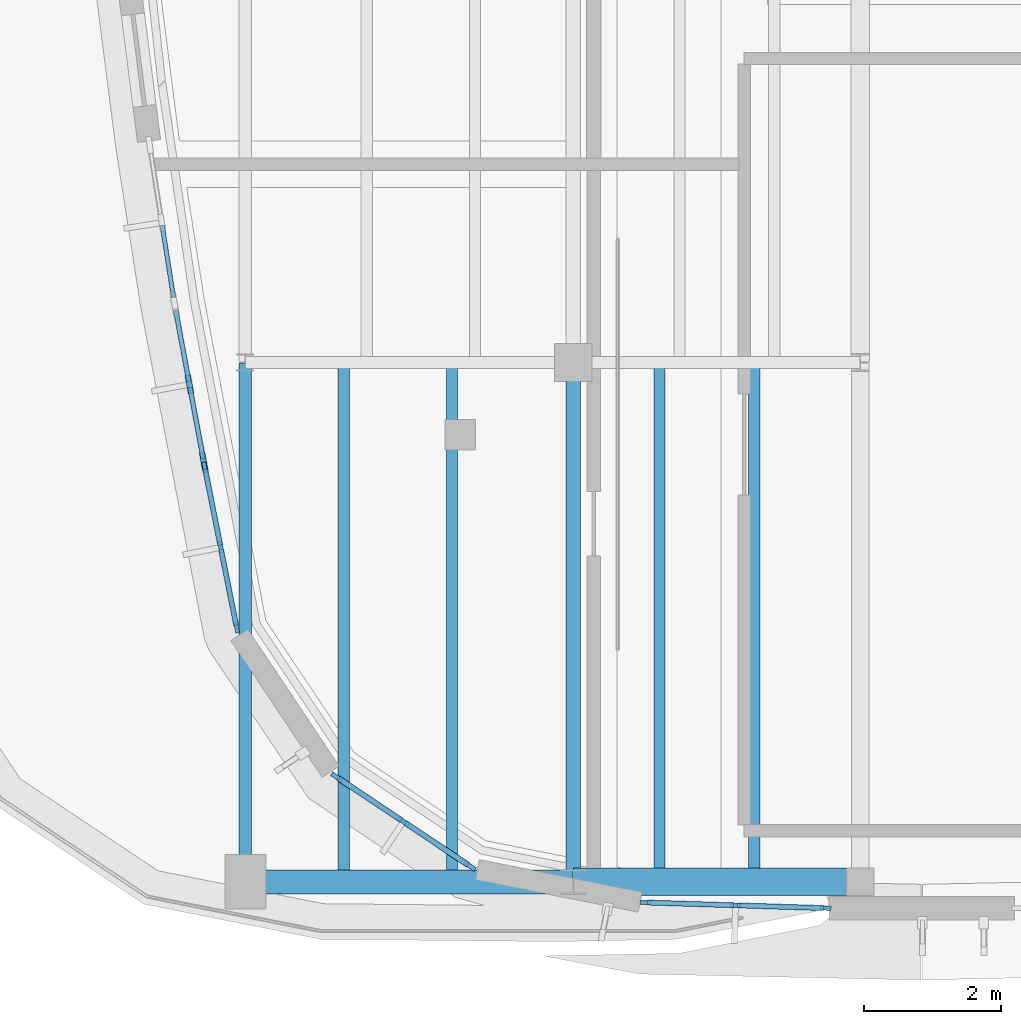
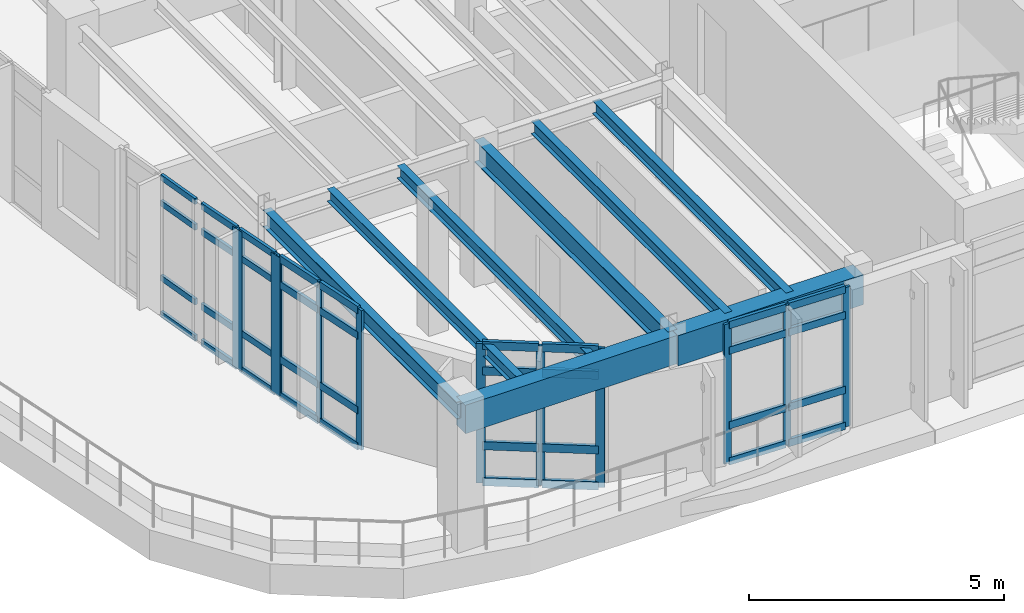
# One storey, part 4 of 20: 47 members, 8 beams, 5 elements without a shape of their own.
"""IFC4 building model written with IfcOpenShell, lengths in metres."""

from ifc_helpers import new_model, si_unit, direction, frame, origin, origin_2d, place, context, subcontext, project, spatial, rectangle, i_section, extrude, material, material_profile, profile_set, type_object, element, aggregate, save


model = new_model("IFC4")

# Units and contexts
model_context = context("Model", 3, precision=1e-05, world=origin(), true_north=direction((0.0, 1.0)))
body_context = subcontext(model_context, "Body", "Model", "MODEL_VIEW")
ifc_project = project(units=[si_unit("LENGTHUNIT", "METRE"), si_unit("AREAUNIT", "SQUARE_METRE"), si_unit("VOLUMEUNIT", "CUBIC_METRE"), si_unit("PLANEANGLEUNIT", "RADIAN"), si_unit("MASSUNIT", "GRAM", prefix="KILO")], contexts=[model_context])

# Site, building, storey
site_placement = place(None, origin())
site = spatial("IfcSite", under=ifc_project, at=site_placement, CompositionType="ELEMENT")
building_placement = place(site_placement, origin())
building = spatial("IfcBuilding", under=site, at=building_placement, Name="Corveleigh Park Community Centre", CompositionType="ELEMENT")
storey_placement = place(building_placement, frame((0.0, 0.0, 16.199951171875)))
storey = spatial("IfcBuildingStorey", under=building, at=storey_placement, Name="L04", CompositionType="ELEMENT", Elevation=16.199951171875)

# Beams
ifc_material_1 = material(Name="Steel S355", Category="steel")
ifc_material_profile_1 = material_profile(ifc_material_1, i_section(OverallWidth=0.1650390625, OverallDepth=0.303466796875, WebThickness=0.006103515625, FlangeThickness=0.01025390625, at=origin_2d()), Name="UKB 305x165x40", Category="steel")
ifc_profile_set_1 = profile_set([ifc_material_profile_1], Name="Steel S355")
beam_type_1 = type_object("IfcBeamType", Name="BM-STL-UKB305x40", PredefinedType="JOIST", material=ifc_profile_set_1)
for number, where, z_axis, x_axis, name in (
    (1, (150.43994140625, 58.60498046875, 3.185302734375), (0.0, 1.0, 0.0), (-1.0, 0.0, 0.0), "Secondary floor joist"),
    (2, (152.02392578125, 58.60498046875, 3.185302734375), (0.0, 1.0, 0.0), (-1.0, 0.0, 0.0), "Secondary floor joist"),
):
    element("IfcBeam", number, at=place(storey_placement, frame(where, z_axis=z_axis, x_axis=x_axis)), inside=storey, type_object=beam_type_1, Name=name, PredefinedType="JOIST", context=body_context, shape_type="SweptSolid", body=[
        extrude(i_section(OverallWidth=0.1650390625, OverallDepth=0.303466796875, WebThickness=0.006103515625, FlangeThickness=0.01025390625, at=origin_2d()), origin(), (0.0, 0.0, 1.0), 7.590087890625),
    ])
ifc_material_profile_2 = material_profile(ifc_material_1, i_section(OverallWidth=0.165771484375, OverallDepth=0.306640625, WebThickness=0.006591796875, FlangeThickness=0.01171875, at=origin_2d()), Name="UKB 305x165x46", Category="steel")
ifc_profile_set_2 = profile_set([ifc_material_profile_2], Name="Steel S355")
beam_type_2 = type_object("IfcBeamType", Name="BM-STL-UKB305x46", PredefinedType="JOIST", material=ifc_profile_set_2)
for number, where, z_axis, x_axis, name in (
    (3, (155.06005859375, 58.60498046875, 3.183837890625), (0.0, 1.0, 0.0), (-1.0, 0.0, 0.0), "Secondary floor joist"),
    (4, (156.446044921875, 58.60498046875, 3.183837890625), (0.0, 1.0, 0.0), (-1.0, 0.0, 0.0), "Secondary floor joist"),
):
    element("IfcBeam", number, at=place(storey_placement, frame(where, z_axis=z_axis, x_axis=x_axis)), inside=storey, type_object=beam_type_2, Name=name, PredefinedType="JOIST", context=body_context, shape_type="SweptSolid", body=[
        extrude(i_section(OverallWidth=0.165771484375, OverallDepth=0.306640625, WebThickness=0.006591796875, FlangeThickness=0.01171875, at=origin_2d()), origin(), (0.0, 0.0, 1.0), 7.590087890625),
    ])
ifc_material_profile_3 = material_profile(ifc_material_1, i_section(OverallWidth=0.1787109375, OverallDepth=0.409423828125, WebThickness=0.0087890625, FlangeThickness=0.014404296875, at=origin_2d()), Name="UKB 406x178x67", Category="steel")
ifc_profile_set_3 = profile_set([ifc_material_profile_3], Name="Steel S355")
beam_type_3 = type_object("IfcBeamType", Name="BM-STL-UKB406x67", PredefinedType="BEAM", material=ifc_profile_set_3)
beam_1_placement = place(storey_placement, frame((149.0, 58.60498046875, 3.13232421875), z_axis=(0.0, 1.0, 0.0), x_axis=(-1.0, 0.0, 0.0)))
element("IfcBeam", 5, at=beam_1_placement, inside=storey, type_object=beam_type_3, Name="V4 Girder Y", PredefinedType="BEAM", context=body_context, shape_type="SweptSolid", body=[
    extrude(i_section(OverallWidth=0.1787109375, OverallDepth=0.409423828125, WebThickness=0.0087890625, FlangeThickness=0.014404296875, at=origin_2d()), origin(), (0.0, 0.0, 1.0), 7.590087890625),
])
ifc_material_profile_4 = material_profile(ifc_material_1, i_section(OverallWidth=0.209228515625, OverallDepth=0.533203125, WebThickness=0.010009765625, FlangeThickness=0.015625, at=origin_2d()), Name="UKB 533x210x92", Category="steel")
ifc_profile_set_4 = profile_set([ifc_material_profile_4], Name="Steel S355")
beam_type_4 = type_object("IfcBeamType", Name="BM-STL-UKB533x92", PredefinedType="BEAM", material=ifc_profile_set_4)
beam_2_placement = place(storey_placement, frame((153.800048828125, 58.60498046875, 3.070556640625), z_axis=(0.0, 1.0, 0.0), x_axis=(-1.0, 0.0, 0.0)))
element("IfcBeam", 6, at=beam_2_placement, inside=storey, type_object=beam_type_4, Name="V4 Girder Y", PredefinedType="BEAM", context=body_context, shape_type="SweptSolid", body=[
    extrude(i_section(OverallWidth=0.209228515625, OverallDepth=0.533203125, WebThickness=0.010009765625, FlangeThickness=0.015625, at=origin_2d()), origin(), (0.0, 0.0, 1.0), 7.590087890625),
])

# Curtain wall, members
ifc_material_2 = material(Name="Anodised aluminium 6063-T6", Category="aluminium")
curtain_wall_type = type_object("IfcCurtainWallType", Name="CW-SYS-V4-L03", PredefinedType="NOTDEFINED", material=ifc_material_2)
curtain_wall_1_placement = place(storey_placement, origin())
curtain_wall_1 = element("IfcCurtainWall", 7, at=curtain_wall_1_placement, inside=storey, type_object=curtain_wall_type, Name="V4 L04 Curtain Wall 439", PredefinedType="NOTDEFINED")
ifc_material_profile_5 = material_profile(ifc_material_2, rectangle(XDim=0.06005859375, YDim=0.159912109375, at=origin_2d()), Name="ALU-M60x160", Category="aluminium")
ifc_profile_set_5 = profile_set([ifc_material_profile_5], Name="Anodised aluminium 6063-T6")
member_type_1 = type_object("IfcMemberType", Name="CWM-60x160", PredefinedType="MULLION", material=ifc_profile_set_5)
member_1_placement = place(storey_placement, frame((157.493896484375, 58.21484375, 0.0), z_axis=(0.0, 0.0, 1.0), x_axis=(-0.031454254481, -0.99950519252, 0.0)))
member_1 = element("IfcMember", 8, at=member_1_placement, type_object=member_type_1, Name="CW09 mullion 1", PredefinedType="MULLION", context=body_context, shape_type="SweptSolid", body=[
    extrude(rectangle(XDim=0.06005859375, YDim=0.159912109375, at=origin_2d()), origin(), (0.0, 0.0, 1.0), 3.337158203125),
])
member_2_placement = place(storey_placement, frame((156.173583984375, 58.256591796875, 0.0), z_axis=(0.0, 0.0, 1.0), x_axis=(-0.031454254481, -0.99950519252, 0.0)))
member_2 = element("IfcMember", 9, at=member_2_placement, type_object=member_type_1, Name="CW09 mullion 2", PredefinedType="MULLION", context=body_context, shape_type="SweptSolid", body=[
    extrude(rectangle(XDim=0.06005859375, YDim=0.159912109375, at=origin_2d()), origin(), (0.0, 0.0, 1.0), 3.337158203125),
])
member_3_placement = place(storey_placement, frame((154.85302734375, 58.298095703125, 0.0), z_axis=(0.0, 0.0, 1.0), x_axis=(-0.031454254481, -0.99950519252, 0.0)))
member_3 = element("IfcMember", 10, at=member_3_placement, type_object=member_type_1, Name="CW09 mullion 3", PredefinedType="MULLION", context=body_context, shape_type="SweptSolid", body=[
    extrude(rectangle(XDim=0.06005859375, YDim=0.159912109375, at=origin_2d()), origin(), (0.0, 0.0, 1.0), 3.337158203125),
])

curtain_wall_2_placement = place(storey_placement, origin())
curtain_wall_2 = element("IfcCurtainWall", 11, at=curtain_wall_2_placement, inside=storey, type_object=curtain_wall_type, Name="V4 L04 Curtain Wall 469", PredefinedType="NOTDEFINED")
member_4_placement = place(storey_placement, frame((148.8720703125, 62.324462890625, 0.0), z_axis=(0.0, 0.0, 1.0), x_axis=(-0.980784643134, -0.195093525756, 0.0)))
member_4 = element("IfcMember", 12, at=member_4_placement, type_object=member_type_1, Name="CW09 mullion 1", PredefinedType="MULLION", context=body_context, shape_type="SweptSolid", body=[
    extrude(rectangle(XDim=0.06005859375, YDim=0.159912109375, at=origin_2d()), origin(), (0.0, 0.0, 1.0), 3.337158203125),
])
member_5_placement = place(storey_placement, frame((148.639404296875, 63.493896484375, 0.0), z_axis=(0.0, 0.0, 1.0), x_axis=(-0.980784643134, -0.195093525756, 0.0)))
member_5 = element("IfcMember", 13, at=member_5_placement, type_object=member_type_1, Name="CW09 mullion 2", PredefinedType="MULLION", context=body_context, shape_type="SweptSolid", body=[
    extrude(rectangle(XDim=0.06005859375, YDim=0.159912109375, at=origin_2d()), origin(), (0.0, 0.0, 1.0), 3.337158203125),
])
member_6_placement = place(storey_placement, frame((148.40673828125, 64.66357421875, 0.0), z_axis=(0.0, 0.0, 1.0), x_axis=(-0.980784643134, -0.195093525756, 0.0)))
member_6 = element("IfcMember", 14, at=member_6_placement, type_object=member_type_1, Name="CW09 mullion 3", PredefinedType="MULLION", context=body_context, shape_type="SweptSolid", body=[
    extrude(rectangle(XDim=0.06005859375, YDim=0.159912109375, at=origin_2d()), origin(), (0.0, 0.0, 1.0), 3.337158203125),
])

curtain_wall_3_placement = place(storey_placement, origin())
curtain_wall_3 = element("IfcCurtainWall", 15, at=curtain_wall_3_placement, inside=storey, type_object=curtain_wall_type, Name="V4 L04 Curtain Wall 470", PredefinedType="NOTDEFINED")
ifc_material_profile_6 = material_profile(ifc_material_2, rectangle(XDim=0.06494140625, YDim=0.179931640625, at=origin_2d()), Name="ALU-M65x180", Category="aluminium")
ifc_profile_set_6 = profile_set([ifc_material_profile_6], Name="Anodised aluminium 6063-T6")
member_type_2 = type_object("IfcMemberType", Name="CWM-65x180", PredefinedType="MULLION", material=ifc_profile_set_6)
member_7_placement = place(storey_placement, frame((152.286865234375, 58.830078125, 0.0), z_axis=(0.0, 0.0, 1.0), x_axis=(-0.555658190101, -0.83141083453, 0.0)))
member_7 = element("IfcMember", 16, at=member_7_placement, type_object=member_type_2, Name="CW09 mullion 1", PredefinedType="MULLION", context=body_context, shape_type="SweptSolid", body=[
    extrude(rectangle(XDim=0.06494140625, YDim=0.179931640625, at=origin_2d()), origin(), (0.0, 0.0, 1.0), 3.337158203125),
])
member_8_placement = place(storey_placement, frame((151.31298828125, 59.48095703125, 0.0), z_axis=(0.0, 0.0, 1.0), x_axis=(-0.555658190101, -0.83141083453, 0.0)))
member_8 = element("IfcMember", 17, at=member_8_placement, type_object=member_type_2, Name="CW09 mullion 2", PredefinedType="MULLION", context=body_context, shape_type="SweptSolid", body=[
    extrude(rectangle(XDim=0.06494140625, YDim=0.179931640625, at=origin_2d()), origin(), (0.0, 0.0, 1.0), 3.337158203125),
])
member_9_placement = place(storey_placement, frame((150.339111328125, 60.1318359375, 0.0), z_axis=(0.0, 0.0, 1.0), x_axis=(-0.555658190101, -0.83141083453, 0.0)))
member_9 = element("IfcMember", 18, at=member_9_placement, type_object=member_type_2, Name="CW09 mullion 3", PredefinedType="MULLION", context=body_context, shape_type="SweptSolid", body=[
    extrude(rectangle(XDim=0.06494140625, YDim=0.179931640625, at=origin_2d()), origin(), (0.0, 0.0, 1.0), 3.337158203125),
])

curtain_wall_4_placement = place(storey_placement, origin())
curtain_wall_4 = element("IfcCurtainWall", 19, at=curtain_wall_4_placement, inside=storey, type_object=curtain_wall_type, Name="V4 L04 Curtain Wall 468", PredefinedType="NOTDEFINED")
ifc_material_profile_7 = material_profile(ifc_material_2, rectangle(XDim=0.0849609375, YDim=0.27490234375, at=origin_2d()), Name="ALU-M85x275", Category="aluminium")
ifc_profile_set_7 = profile_set([ifc_material_profile_7], Name="Anodised aluminium 6063-T6")
member_type_3 = type_object("IfcMemberType", Name="CWM-85x275", PredefinedType="MULLION", material=ifc_profile_set_7)
member_10_placement = place(storey_placement, frame((148.391357421875, 64.748779296875, 0.0), z_axis=(0.0, 0.0, 1.0), x_axis=(-0.983301463744, -0.181984151504, 0.0)))
member_10 = element("IfcMember", 20, at=member_10_placement, type_object=member_type_3, Name="CW09 mullion 1", PredefinedType="MULLION", context=body_context, shape_type="SweptSolid", body=[
    extrude(rectangle(XDim=0.0849609375, YDim=0.27490234375, at=origin_2d()), origin(), (0.0, 0.0, 1.0), 3.337158203125),
])
member_11_placement = place(storey_placement, frame((148.181884765625, 65.87939453125, 0.0), z_axis=(0.0, 0.0, 1.0), x_axis=(-0.983301463744, -0.181984151504, 0.0)))
member_11 = element("IfcMember", 21, at=member_11_placement, type_object=member_type_3, Name="CW09 mullion 2", PredefinedType="MULLION", context=body_context, shape_type="SweptSolid", body=[
    extrude(rectangle(XDim=0.0849609375, YDim=0.27490234375, at=origin_2d()), origin(), (0.0, 0.0, 1.0), 3.337158203125),
])

curtain_wall_5_placement = place(storey_placement, origin())
curtain_wall_5 = element("IfcCurtainWall", 22, at=curtain_wall_5_placement, inside=storey, type_object=curtain_wall_type, Name="V4 L04 Curtain Wall 467", PredefinedType="NOTDEFINED")
ifc_material_profile_8 = material_profile(ifc_material_2, rectangle(XDim=0.06494140625, YDim=0.139892578125, at=origin_2d()), Name="ALU-T65x140", Category="aluminium")
ifc_profile_set_8 = profile_set([ifc_material_profile_8], Name="Anodised aluminium 6063-T6")
member_type_4 = type_object("IfcMemberType", Name="CWT-65x140", PredefinedType="USERDEFINED", material=ifc_profile_set_8)
member_12_placement = place(storey_placement, frame((147.94970703125, 67.14892578125, 0.032470703125), z_axis=(-0.154932887048, 0.987924997412, 0.0), x_axis=(-0.987924997412, -0.154932887048, 0.0)))
member_12 = element("IfcMember", 23, at=member_12_placement, type_object=member_type_4, Name="CW09 transom 1.1", ObjectType="TRANSOM", PredefinedType="USERDEFINED", context=body_context, shape_type="SweptSolid", body=[
    extrude(rectangle(XDim=0.06494140625, YDim=0.139892578125, at=origin_2d()), origin(), (0.0, 0.0, 1.0), 1.071533203125),
])
member_13_placement = place(storey_placement, frame((147.94970703125, 67.14892578125, 0.900146484375), z_axis=(-0.154932887048, 0.987924997412, 0.0), x_axis=(-0.987924997412, -0.154932887048, 0.0)))
member_13 = element("IfcMember", 24, at=member_13_placement, type_object=member_type_4, Name="CW09 transom 1.2", ObjectType="TRANSOM", PredefinedType="USERDEFINED", context=body_context, shape_type="SweptSolid", body=[
    extrude(rectangle(XDim=0.06494140625, YDim=0.139892578125, at=origin_2d()), origin(), (0.0, 0.0, 1.0), 1.071533203125),
])
member_14_placement = place(storey_placement, frame((147.94970703125, 67.14892578125, 2.68701171875), z_axis=(-0.154932887048, 0.987924997412, 0.0), x_axis=(-0.987924997412, -0.154932887048, 0.0)))
member_14 = element("IfcMember", 25, at=member_14_placement, type_object=member_type_4, Name="CW09 transom 1.3", ObjectType="TRANSOM", PredefinedType="USERDEFINED", context=body_context, shape_type="SweptSolid", body=[
    extrude(rectangle(XDim=0.06494140625, YDim=0.139892578125, at=origin_2d()), origin(), (0.0, 0.0, 1.0), 1.071533203125),
])
member_15_placement = place(storey_placement, frame((147.94970703125, 67.14892578125, 3.304443359375), z_axis=(-0.154932887048, 0.987924997412, 0.0), x_axis=(-0.987924997412, -0.154932887048, 0.0)))
member_15 = element("IfcMember", 26, at=member_15_placement, type_object=member_type_4, Name="CW09 transom 1.4", ObjectType="TRANSOM", PredefinedType="USERDEFINED", context=body_context, shape_type="SweptSolid", body=[
    extrude(rectangle(XDim=0.06494140625, YDim=0.139892578125, at=origin_2d()), origin(), (0.0, 0.0, 1.0), 1.071533203125),
])
aggregate(curtain_wall_5, [member_12, member_13, member_14, member_15])

# Member
ifc_material_profile_9 = material_profile(ifc_material_2, rectangle(XDim=0.070068359375, YDim=0.155029296875, at=origin_2d()), Name="ALU-T70x155", Category="aluminium")
ifc_profile_set_9 = profile_set([ifc_material_profile_9], Name="Anodised aluminium 6063-T6")
member_type_5 = type_object("IfcMemberType", Name="CWT-70x155", PredefinedType="USERDEFINED", material=ifc_profile_set_9)
member_16_placement = place(storey_placement, frame((148.383544921875, 64.79052734375, 0.03515625), z_axis=(-0.182031793046, 0.98329264531, 0.0), x_axis=(-0.98329264531, -0.182031793046, 0.0)))
member_16 = element("IfcMember", 27, at=member_16_placement, type_object=member_type_5, Name="CW09 transom 1.1", ObjectType="TRANSOM", PredefinedType="USERDEFINED", context=body_context, shape_type="SweptSolid", body=[
    extrude(rectangle(XDim=0.070068359375, YDim=0.155029296875, at=origin_2d()), origin(), (0.0, 0.0, 1.0), 1.06494140625),
])

member_17_placement = place(storey_placement, frame((148.383544921875, 64.79052734375, 0.900146484375), z_axis=(-0.182031793046, 0.98329264531, 0.0), x_axis=(-0.98329264531, -0.182031793046, 0.0)))
member_17 = element("IfcMember", 28, at=member_17_placement, type_object=member_type_5, Name="CW09 transom 1.2", ObjectType="TRANSOM", PredefinedType="USERDEFINED", context=body_context, shape_type="SweptSolid", body=[
    extrude(rectangle(XDim=0.070068359375, YDim=0.155029296875, at=origin_2d()), origin(), (0.0, 0.0, 1.0), 1.06494140625),
])

member_18_placement = place(storey_placement, frame((148.383544921875, 64.79052734375, 2.68701171875), z_axis=(-0.182031793046, 0.98329264531, 0.0), x_axis=(-0.98329264531, -0.182031793046, 0.0)))
member_18 = element("IfcMember", 29, at=member_18_placement, type_object=member_type_5, Name="CW09 transom 1.3", ObjectType="TRANSOM", PredefinedType="USERDEFINED", context=body_context, shape_type="SweptSolid", body=[
    extrude(rectangle(XDim=0.070068359375, YDim=0.155029296875, at=origin_2d()), origin(), (0.0, 0.0, 1.0), 1.06494140625),
])

member_19_placement = place(storey_placement, frame((148.383544921875, 64.79052734375, 3.302001953125), z_axis=(-0.182031793046, 0.98329264531, 0.0), x_axis=(-0.98329264531, -0.182031793046, 0.0)))
member_19 = element("IfcMember", 30, at=member_19_placement, type_object=member_type_5, Name="CW09 transom 1.4", ObjectType="TRANSOM", PredefinedType="USERDEFINED", context=body_context, shape_type="SweptSolid", body=[
    extrude(rectangle(XDim=0.070068359375, YDim=0.155029296875, at=origin_2d()), origin(), (0.0, 0.0, 1.0), 1.06494140625),
])

member_20_placement = place(storey_placement, frame((148.17431640625, 65.92138671875, 0.03515625), z_axis=(-0.182031793046, 0.98329264531, 0.0), x_axis=(-0.98329264531, -0.182031793046, 0.0)))
member_20 = element("IfcMember", 31, at=member_20_placement, type_object=member_type_5, Name="CW09 transom 2.1", ObjectType="TRANSOM", PredefinedType="USERDEFINED", context=body_context, shape_type="SweptSolid", body=[
    extrude(rectangle(XDim=0.070068359375, YDim=0.155029296875, at=origin_2d()), origin(), (0.0, 0.0, 1.0), 1.06494140625),
])

member_21_placement = place(storey_placement, frame((148.17431640625, 65.92138671875, 0.900146484375), z_axis=(-0.182031793046, 0.98329264531, 0.0), x_axis=(-0.98329264531, -0.182031793046, 0.0)))
member_21 = element("IfcMember", 32, at=member_21_placement, type_object=member_type_5, Name="CW09 transom 2.2", ObjectType="TRANSOM", PredefinedType="USERDEFINED", context=body_context, shape_type="SweptSolid", body=[
    extrude(rectangle(XDim=0.070068359375, YDim=0.155029296875, at=origin_2d()), origin(), (0.0, 0.0, 1.0), 1.06494140625),
])

member_22_placement = place(storey_placement, frame((148.17431640625, 65.92138671875, 2.68701171875), z_axis=(-0.182031793046, 0.98329264531, 0.0), x_axis=(-0.98329264531, -0.182031793046, 0.0)))
member_22 = element("IfcMember", 33, at=member_22_placement, type_object=member_type_5, Name="CW09 transom 2.3", ObjectType="TRANSOM", PredefinedType="USERDEFINED", context=body_context, shape_type="SweptSolid", body=[
    extrude(rectangle(XDim=0.070068359375, YDim=0.155029296875, at=origin_2d()), origin(), (0.0, 0.0, 1.0), 1.06494140625),
])

member_23_placement = place(storey_placement, frame((148.17431640625, 65.92138671875, 3.302001953125), z_axis=(-0.182031793046, 0.98329264531, 0.0), x_axis=(-0.98329264531, -0.182031793046, 0.0)))
member_23 = element("IfcMember", 34, at=member_23_placement, type_object=member_type_5, Name="CW09 transom 2.4", ObjectType="TRANSOM", PredefinedType="USERDEFINED", context=body_context, shape_type="SweptSolid", body=[
    extrude(rectangle(XDim=0.070068359375, YDim=0.155029296875, at=origin_2d()), origin(), (0.0, 0.0, 1.0), 1.06494140625),
])

aggregate(curtain_wall_4, [member_10, member_11, member_16, member_17, member_18, member_19, member_20, member_21, member_22, member_23])

ifc_material_profile_10 = material_profile(ifc_material_2, rectangle(XDim=0.074951171875, YDim=0.175048828125, at=origin_2d()), Name="ALU-T75x175", Category="aluminium")
ifc_profile_set_10 = profile_set([ifc_material_profile_10], Name="Anodised aluminium 6063-T6")
member_type_6 = type_object("IfcMemberType", Name="CWT-75x175", PredefinedType="USERDEFINED", material=ifc_profile_set_10)
member_24_placement = place(storey_placement, frame((157.464111328125, 58.2158203125, 0.03759765625), z_axis=(-0.999502207477, 0.031548965883, 0.0), x_axis=(-0.031548965883, -0.999502207477, 0.0)))
member_24 = element("IfcMember", 35, at=member_24_placement, type_object=member_type_6, Name="CW09 transom 1.1", ObjectType="TRANSOM", PredefinedType="USERDEFINED", context=body_context, shape_type="SweptSolid", body=[
    extrude(rectangle(XDim=0.074951171875, YDim=0.175048828125, at=origin_2d()), origin(), (0.0, 0.0, 1.0), 1.261474609375),
])

member_25_placement = place(storey_placement, frame((157.464111328125, 58.2158203125, 0.900146484375), z_axis=(-0.999502207477, 0.031548965883, 0.0), x_axis=(-0.031548965883, -0.999502207477, 0.0)))
member_25 = element("IfcMember", 36, at=member_25_placement, type_object=member_type_6, Name="CW09 transom 1.2", ObjectType="TRANSOM", PredefinedType="USERDEFINED", context=body_context, shape_type="SweptSolid", body=[
    extrude(rectangle(XDim=0.074951171875, YDim=0.175048828125, at=origin_2d()), origin(), (0.0, 0.0, 1.0), 1.261474609375),
])

member_26_placement = place(storey_placement, frame((157.464111328125, 58.2158203125, 2.68701171875), z_axis=(-0.999502207477, 0.031548965883, 0.0), x_axis=(-0.031548965883, -0.999502207477, 0.0)))
member_26 = element("IfcMember", 37, at=member_26_placement, type_object=member_type_6, Name="CW09 transom 1.3", ObjectType="TRANSOM", PredefinedType="USERDEFINED", context=body_context, shape_type="SweptSolid", body=[
    extrude(rectangle(XDim=0.074951171875, YDim=0.175048828125, at=origin_2d()), origin(), (0.0, 0.0, 1.0), 1.261474609375),
])

member_27_placement = place(storey_placement, frame((157.464111328125, 58.2158203125, 3.299560546875), z_axis=(-0.999502207477, 0.031548965883, 0.0), x_axis=(-0.031548965883, -0.999502207477, 0.0)))
member_27 = element("IfcMember", 38, at=member_27_placement, type_object=member_type_6, Name="CW09 transom 1.4", ObjectType="TRANSOM", PredefinedType="USERDEFINED", context=body_context, shape_type="SweptSolid", body=[
    extrude(rectangle(XDim=0.074951171875, YDim=0.175048828125, at=origin_2d()), origin(), (0.0, 0.0, 1.0), 1.261474609375),
])

member_28_placement = place(storey_placement, frame((156.1435546875, 58.25732421875, 0.03759765625), z_axis=(-0.999502014772, 0.031555070387, 0.0), x_axis=(-0.031555070387, -0.999502014772, 0.0)))
member_28 = element("IfcMember", 39, at=member_28_placement, type_object=member_type_6, Name="CW09 transom 2.1", ObjectType="TRANSOM", PredefinedType="USERDEFINED", context=body_context, shape_type="SweptSolid", body=[
    extrude(rectangle(XDim=0.074951171875, YDim=0.175048828125, at=origin_2d()), origin(), (0.0, 0.0, 1.0), 1.26123046875),
])

member_29_placement = place(storey_placement, frame((156.1435546875, 58.25732421875, 0.900146484375), z_axis=(-0.999502014772, 0.031555070387, 0.0), x_axis=(-0.031555070387, -0.999502014772, 0.0)))
member_29 = element("IfcMember", 40, at=member_29_placement, type_object=member_type_6, Name="CW09 transom 2.2", ObjectType="TRANSOM", PredefinedType="USERDEFINED", context=body_context, shape_type="SweptSolid", body=[
    extrude(rectangle(XDim=0.074951171875, YDim=0.175048828125, at=origin_2d()), origin(), (0.0, 0.0, 1.0), 1.26123046875),
])

member_30_placement = place(storey_placement, frame((156.1435546875, 58.25732421875, 2.68701171875), z_axis=(-0.999502014772, 0.031555070387, 0.0), x_axis=(-0.031555070387, -0.999502014772, 0.0)))
member_30 = element("IfcMember", 41, at=member_30_placement, type_object=member_type_6, Name="CW09 transom 2.3", ObjectType="TRANSOM", PredefinedType="USERDEFINED", context=body_context, shape_type="SweptSolid", body=[
    extrude(rectangle(XDim=0.074951171875, YDim=0.175048828125, at=origin_2d()), origin(), (0.0, 0.0, 1.0), 1.26123046875),
])

member_31_placement = place(storey_placement, frame((156.1435546875, 58.25732421875, 3.299560546875), z_axis=(-0.999502014772, 0.031555070387, 0.0), x_axis=(-0.031555070387, -0.999502014772, 0.0)))
member_31 = element("IfcMember", 42, at=member_31_placement, type_object=member_type_6, Name="CW09 transom 2.4", ObjectType="TRANSOM", PredefinedType="USERDEFINED", context=body_context, shape_type="SweptSolid", body=[
    extrude(rectangle(XDim=0.074951171875, YDim=0.175048828125, at=origin_2d()), origin(), (0.0, 0.0, 1.0), 1.26123046875),
])

aggregate(curtain_wall_1, [member_1, member_2, member_3, member_24, member_25, member_26, member_27, member_28, member_29, member_30, member_31])

member_32_placement = place(storey_placement, frame((148.8662109375, 62.353759765625, 0.03759765625), z_axis=(-0.195079690664, 0.980787395051, 0.0), x_axis=(-0.980787395051, -0.195079690664, 0.0)))
member_32 = element("IfcMember", 43, at=member_32_placement, type_object=member_type_6, Name="CW09 transom 1.1", ObjectType="TRANSOM", PredefinedType="USERDEFINED", context=body_context, shape_type="SweptSolid", body=[
    extrude(rectangle(XDim=0.074951171875, YDim=0.175048828125, at=origin_2d()), origin(), (0.0, 0.0, 1.0), 1.132568359375),
])

member_33_placement = place(storey_placement, frame((148.8662109375, 62.353759765625, 0.900146484375), z_axis=(-0.195079690664, 0.980787395051, 0.0), x_axis=(-0.980787395051, -0.195079690664, 0.0)))
member_33 = element("IfcMember", 44, at=member_33_placement, type_object=member_type_6, Name="CW09 transom 1.2", ObjectType="TRANSOM", PredefinedType="USERDEFINED", context=body_context, shape_type="SweptSolid", body=[
    extrude(rectangle(XDim=0.074951171875, YDim=0.175048828125, at=origin_2d()), origin(), (0.0, 0.0, 1.0), 1.132568359375),
])

member_34_placement = place(storey_placement, frame((148.8662109375, 62.353759765625, 2.68701171875), z_axis=(-0.195079690664, 0.980787395051, 0.0), x_axis=(-0.980787395051, -0.195079690664, 0.0)))
member_34 = element("IfcMember", 45, at=member_34_placement, type_object=member_type_6, Name="CW09 transom 1.3", ObjectType="TRANSOM", PredefinedType="USERDEFINED", context=body_context, shape_type="SweptSolid", body=[
    extrude(rectangle(XDim=0.074951171875, YDim=0.175048828125, at=origin_2d()), origin(), (0.0, 0.0, 1.0), 1.132568359375),
])

member_35_placement = place(storey_placement, frame((148.8662109375, 62.353759765625, 3.299560546875), z_axis=(-0.195079690664, 0.980787395051, 0.0), x_axis=(-0.980787395051, -0.195079690664, 0.0)))
member_35 = element("IfcMember", 46, at=member_35_placement, type_object=member_type_6, Name="CW09 transom 1.4", ObjectType="TRANSOM", PredefinedType="USERDEFINED", context=body_context, shape_type="SweptSolid", body=[
    extrude(rectangle(XDim=0.074951171875, YDim=0.175048828125, at=origin_2d()), origin(), (0.0, 0.0, 1.0), 1.132568359375),
])

member_36_placement = place(storey_placement, frame((148.633544921875, 63.5234375, 0.03759765625), z_axis=(-0.195120942228, 0.980779189167, 0.0), x_axis=(-0.980779189167, -0.195120942228, 0.0)))
member_36 = element("IfcMember", 47, at=member_36_placement, type_object=member_type_6, Name="CW09 transom 2.1", ObjectType="TRANSOM", PredefinedType="USERDEFINED", context=body_context, shape_type="SweptSolid", body=[
    extrude(rectangle(XDim=0.074951171875, YDim=0.175048828125, at=origin_2d()), origin(), (0.0, 0.0, 1.0), 1.13232421875),
])

member_37_placement = place(storey_placement, frame((148.633544921875, 63.5234375, 0.900146484375), z_axis=(-0.195120942228, 0.980779189167, 0.0), x_axis=(-0.980779189167, -0.195120942228, 0.0)))
member_37 = element("IfcMember", 48, at=member_37_placement, type_object=member_type_6, Name="CW09 transom 2.2", ObjectType="TRANSOM", PredefinedType="USERDEFINED", context=body_context, shape_type="SweptSolid", body=[
    extrude(rectangle(XDim=0.074951171875, YDim=0.175048828125, at=origin_2d()), origin(), (0.0, 0.0, 1.0), 1.13232421875),
])

member_38_placement = place(storey_placement, frame((148.633544921875, 63.5234375, 2.68701171875), z_axis=(-0.195120942228, 0.980779189167, 0.0), x_axis=(-0.980779189167, -0.195120942228, 0.0)))
member_38 = element("IfcMember", 49, at=member_38_placement, type_object=member_type_6, Name="CW09 transom 2.3", ObjectType="TRANSOM", PredefinedType="USERDEFINED", context=body_context, shape_type="SweptSolid", body=[
    extrude(rectangle(XDim=0.074951171875, YDim=0.175048828125, at=origin_2d()), origin(), (0.0, 0.0, 1.0), 1.13232421875),
])

member_39_placement = place(storey_placement, frame((148.633544921875, 63.5234375, 3.299560546875), z_axis=(-0.195120942228, 0.980779189167, 0.0), x_axis=(-0.980779189167, -0.195120942228, 0.0)))
member_39 = element("IfcMember", 50, at=member_39_placement, type_object=member_type_6, Name="CW09 transom 2.4", ObjectType="TRANSOM", PredefinedType="USERDEFINED", context=body_context, shape_type="SweptSolid", body=[
    extrude(rectangle(XDim=0.074951171875, YDim=0.175048828125, at=origin_2d()), origin(), (0.0, 0.0, 1.0), 1.13232421875),
])

aggregate(curtain_wall_2, [member_4, member_5, member_6, member_32, member_33, member_34, member_35, member_36, member_37, member_38, member_39])

ifc_material_profile_11 = material_profile(ifc_material_2, rectangle(XDim=0.080078125, YDim=0.195068359375, at=origin_2d()), Name="ALU-T80x195", Category="aluminium")
ifc_profile_set_11 = profile_set([ifc_material_profile_11], Name="Anodised aluminium 6063-T6")
member_type_7 = type_object("IfcMemberType", Name="CWT-80x195", PredefinedType="USERDEFINED", material=ifc_profile_set_11)
member_40_placement = place(storey_placement, frame((152.260009765625, 58.84814453125, 0.0400390625), z_axis=(-0.831438737013, 0.555616438376, 0.0), x_axis=(-0.555616438376, -0.831438737013, 0.0)))
member_40 = element("IfcMember", 51, at=member_40_placement, type_object=member_type_7, Name="CW09 transom 1.1", ObjectType="TRANSOM", PredefinedType="USERDEFINED", context=body_context, shape_type="SweptSolid", body=[
    extrude(rectangle(XDim=0.080078125, YDim=0.195068359375, at=origin_2d()), origin(), (0.0, 0.0, 1.0), 1.1064453125),
])

member_41_placement = place(storey_placement, frame((152.260009765625, 58.84814453125, 0.900146484375), z_axis=(-0.831438737013, 0.555616438376, 0.0), x_axis=(-0.555616438376, -0.831438737013, 0.0)))
member_41 = element("IfcMember", 52, at=member_41_placement, type_object=member_type_7, Name="CW09 transom 1.2", ObjectType="TRANSOM", PredefinedType="USERDEFINED", context=body_context, shape_type="SweptSolid", body=[
    extrude(rectangle(XDim=0.080078125, YDim=0.195068359375, at=origin_2d()), origin(), (0.0, 0.0, 1.0), 1.1064453125),
])

member_42_placement = place(storey_placement, frame((152.260009765625, 58.84814453125, 2.68701171875), z_axis=(-0.831438737013, 0.555616438376, 0.0), x_axis=(-0.555616438376, -0.831438737013, 0.0)))
member_42 = element("IfcMember", 53, at=member_42_placement, type_object=member_type_7, Name="CW09 transom 1.3", ObjectType="TRANSOM", PredefinedType="USERDEFINED", context=body_context, shape_type="SweptSolid", body=[
    extrude(rectangle(XDim=0.080078125, YDim=0.195068359375, at=origin_2d()), origin(), (0.0, 0.0, 1.0), 1.1064453125),
])

member_43_placement = place(storey_placement, frame((152.260009765625, 58.84814453125, 3.297119140625), z_axis=(-0.831438737013, 0.555616438376, 0.0), x_axis=(-0.555616438376, -0.831438737013, 0.0)))
member_43 = element("IfcMember", 54, at=member_43_placement, type_object=member_type_7, Name="CW09 transom 1.4", ObjectType="TRANSOM", PredefinedType="USERDEFINED", context=body_context, shape_type="SweptSolid", body=[
    extrude(rectangle(XDim=0.080078125, YDim=0.195068359375, at=origin_2d()), origin(), (0.0, 0.0, 1.0), 1.1064453125),
])

member_44_placement = place(storey_placement, frame((151.285888671875, 59.4990234375, 0.0400390625), z_axis=(-0.831438737013, 0.555616438376, 0.0), x_axis=(-0.555616438376, -0.831438737013, 0.0)))
member_44 = element("IfcMember", 55, at=member_44_placement, type_object=member_type_7, Name="CW09 transom 2.1", ObjectType="TRANSOM", PredefinedType="USERDEFINED", context=body_context, shape_type="SweptSolid", body=[
    extrude(rectangle(XDim=0.080078125, YDim=0.195068359375, at=origin_2d()), origin(), (0.0, 0.0, 1.0), 1.1064453125),
])

member_45_placement = place(storey_placement, frame((151.285888671875, 59.4990234375, 0.900146484375), z_axis=(-0.831438737013, 0.555616438376, 0.0), x_axis=(-0.555616438376, -0.831438737013, 0.0)))
member_45 = element("IfcMember", 56, at=member_45_placement, type_object=member_type_7, Name="CW09 transom 2.2", ObjectType="TRANSOM", PredefinedType="USERDEFINED", context=body_context, shape_type="SweptSolid", body=[
    extrude(rectangle(XDim=0.080078125, YDim=0.195068359375, at=origin_2d()), origin(), (0.0, 0.0, 1.0), 1.1064453125),
])

member_46_placement = place(storey_placement, frame((151.285888671875, 59.4990234375, 2.68701171875), z_axis=(-0.831438737013, 0.555616438376, 0.0), x_axis=(-0.555616438376, -0.831438737013, 0.0)))
member_46 = element("IfcMember", 57, at=member_46_placement, type_object=member_type_7, Name="CW09 transom 2.3", ObjectType="TRANSOM", PredefinedType="USERDEFINED", context=body_context, shape_type="SweptSolid", body=[
    extrude(rectangle(XDim=0.080078125, YDim=0.195068359375, at=origin_2d()), origin(), (0.0, 0.0, 1.0), 1.1064453125),
])

member_47_placement = place(storey_placement, frame((151.285888671875, 59.4990234375, 3.297119140625), z_axis=(-0.831438737013, 0.555616438376, 0.0), x_axis=(-0.555616438376, -0.831438737013, 0.0)))
member_47 = element("IfcMember", 58, at=member_47_placement, type_object=member_type_7, Name="CW09 transom 2.4", ObjectType="TRANSOM", PredefinedType="USERDEFINED", context=body_context, shape_type="SweptSolid", body=[
    extrude(rectangle(XDim=0.080078125, YDim=0.195068359375, at=origin_2d()), origin(), (0.0, 0.0, 1.0), 1.1064453125),
])

aggregate(curtain_wall_3, [member_7, member_8, member_9, member_40, member_41, member_42, member_43, member_44, member_45, member_46, member_47])

# Beams
ifc_material_3 = material(Name="Concrete C40/50", Category="concrete")
ifc_material_profile_12 = material_profile(ifc_material_3, rectangle(XDim=0.35009765625, YDim=0.679931640625, at=origin_2d()), Name="RC-350x680", Category="concrete")
ifc_profile_set_12 = profile_set([ifc_material_profile_12], Name="Concrete C40/50")
beam_type_5 = type_object("IfcBeamType", Name="SP-RC-350x680", PredefinedType="SPANDREL", material=ifc_profile_set_12)
beam_3_placement = place(storey_placement, frame((149.0048828125, 58.60009765625, 2.9970703125), z_axis=(1.0, 0.0, 0.0), x_axis=(0.0, 1.0, 0.0)))
element("IfcBeam", 59, at=beam_3_placement, inside=storey, type_object=beam_type_5, Name="V4 Girder X", PredefinedType="SPANDREL", context=body_context, shape_type="SweptSolid", body=[
    extrude(rectangle(XDim=0.35009765625, YDim=0.679931640625, at=origin_2d()), origin(), (0.0, 0.0, 1.0), 4.7900390625),
])
ifc_material_profile_13 = material_profile(ifc_material_3, rectangle(XDim=0.39990234375, YDim=0.719970703125, at=origin_2d()), Name="RC-400x720", Category="concrete")
ifc_profile_set_13 = profile_set([ifc_material_profile_13], Name="Concrete C40/50")
beam_type_6 = type_object("IfcBeamType", Name="SP-RC-400x720", PredefinedType="SPANDREL", material=ifc_profile_set_13)
beam_4_placement = place(storey_placement, frame((153.804931640625, 58.60009765625, 2.97705078125), z_axis=(1.0, 0.0, 0.0), x_axis=(0.0, 1.0, 0.0)))
element("IfcBeam", 60, at=beam_4_placement, inside=storey, type_object=beam_type_6, Name="V4 Girder X", PredefinedType="SPANDREL", context=body_context, shape_type="SweptSolid", body=[
    extrude(rectangle(XDim=0.39990234375, YDim=0.719970703125, at=origin_2d()), origin(), (0.0, 0.0, 1.0), 4.190185546875),
])

save(model, "model.ifc")
